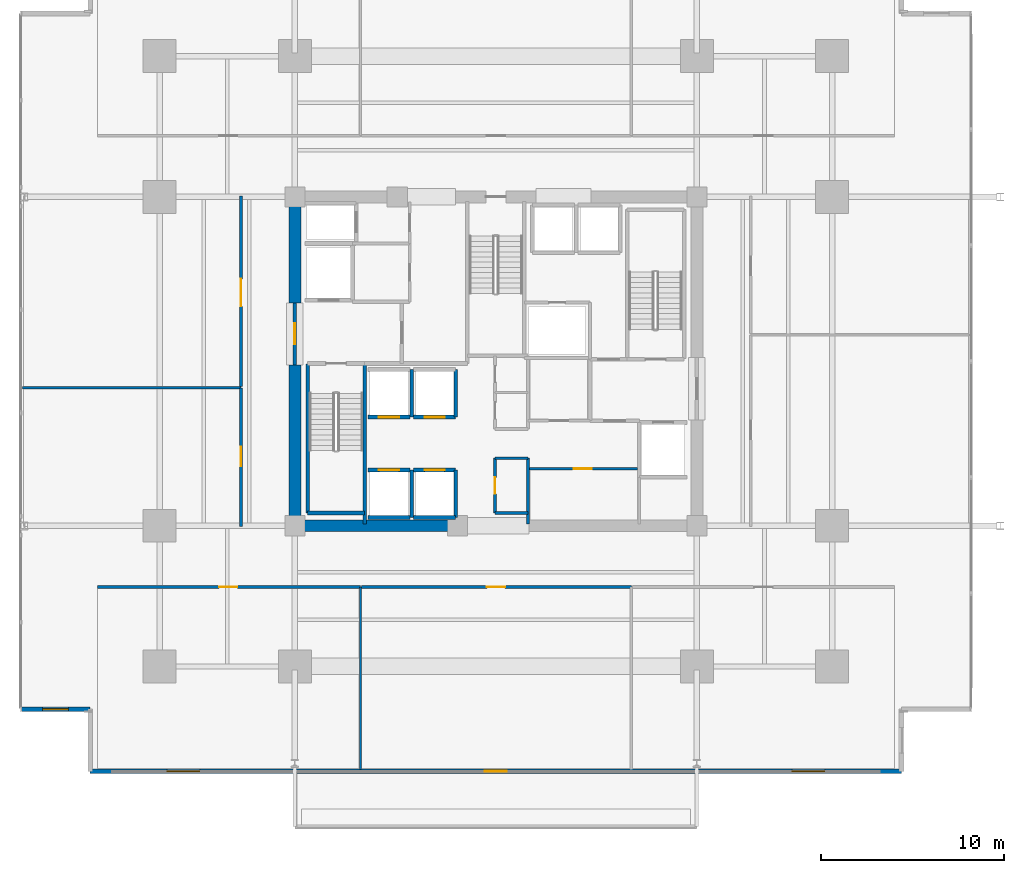
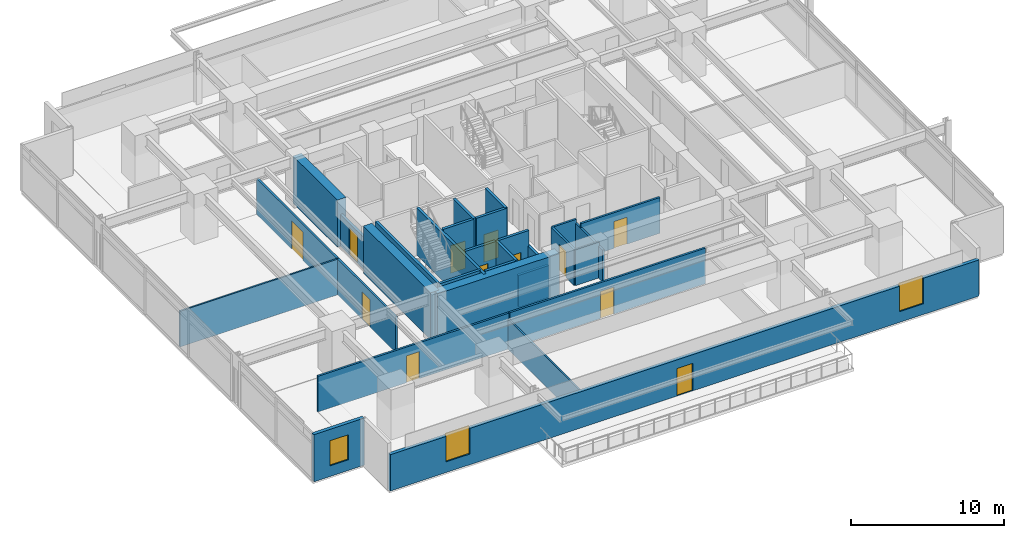
# One storey, part 17 of 25: 30 walls, 12 doors, 3 windows, 15 openings.
"""IFC4 building model written with IfcOpenShell, lengths in metres."""

from ifc_helpers import new_model, si_unit, direction, frame, frame_2d, origin, place, context, subcontext, project, spatial, rectangle, extrude, material, layer, layer_set, type_object, element, fill, save


model = new_model("IFC4")

# Units and contexts
model_context = context("Model", 3, precision=1e-05, world=origin(), true_north=direction((0.0, 1.0)))
body_context = subcontext(model_context, "Body", "Model", "MODEL_VIEW")
ifc_project = project(units=[si_unit("LENGTHUNIT", "METRE"), si_unit("AREAUNIT", "SQUARE_METRE"), si_unit("VOLUMEUNIT", "CUBIC_METRE"), si_unit("PLANEANGLEUNIT", "RADIAN"), si_unit("MASSUNIT", "GRAM", prefix="KILO")], contexts=[model_context])

# Site, building, storey
site_placement = place(None, origin())
site = spatial("IfcSite", under=ifc_project, at=site_placement, CompositionType="ELEMENT")
building_placement = place(site_placement, origin())
building = spatial("IfcBuilding", under=site, at=building_placement, Name="Kovane Verandah Tower", CompositionType="ELEMENT")
storey_placement = place(building_placement, frame((0.0, 0.0, 67.60009765625)))
storey = spatial("IfcBuildingStorey", under=building, at=storey_placement, Name="L15", CompositionType="ELEMENT", Elevation=67.60009765625)

# Walls
ifc_material_1 = material(Name="Fire-Rated Gypsum Stud Partition", Category="gypsum")
ifc_layer_1 = layer(ifc_material_1, 0.14990234375)
ifc_layer_set_1 = layer_set([ifc_layer_1], Name="Fire-Rated Gypsum Stud Partition")
wall_type_1 = type_object("IfcWallType", Name="WL-COR-150", PredefinedType="PARTITIONING", material=ifc_layer_set_1)
for number, where, z_axis, x_axis, name in (
    (1, (39.949951171875, 19.199951171875, 0.0), (0.0, 0.0, 1.0), (1.0, 0.0, 0.0), "L15 Central Core Strip South Wall"),
    (2, (39.949951171875, 22.199951171875, 0.0), (0.0, 0.0, 1.0), (1.0, 0.0, 0.0), "L15 Core Cross-Passage South Wall"),
):
    element("IfcWall", number, at=place(storey_placement, frame(where, z_axis=z_axis, x_axis=x_axis)), inside=storey, type_object=wall_type_1, Name=name, PredefinedType="PARTITIONING", context=body_context, shape_type="SweptSolid", body=[
        extrude(rectangle(XDim=1.81005859375, YDim=0.14990234375, at=frame_2d((0.905029296875, 0.0))), origin(), (0.0, 0.0, 1.0), 2.849853515625),
    ])
wall_1_placement = place(storey_placement, frame((41.760009765625, 18.60009765625, 0.0), z_axis=(0.0, 0.0, 1.0), x_axis=(0.0, 1.0, 0.0)))
element("IfcWall", 3, at=wall_1_placement, inside=storey, type_object=wall_type_1, Name="L15 Central Core Strip Lower East Wall", PredefinedType="PARTITIONING", context=body_context, shape_type="SweptSolid", body=[
    extrude(rectangle(XDim=3.599853515625, YDim=0.14990234375, at=frame_2d((1.7998046875, 0.0))), origin(), (0.0, 0.0, 1.0), 2.539794921875),
])

# Wall, opening, door
wall_2_placement = place(storey_placement, frame((39.949951171875, 19.199951171875, 0.0), z_axis=(0.0, 0.0, 1.0), x_axis=(0.0, 1.0, 0.0)))
wall_2 = element("IfcWall", 4, at=wall_2_placement, inside=storey, type_object=wall_type_1, Name="L15 Male Toilet Partition", PredefinedType="PARTITIONING", context=body_context, shape_type="SweptSolid", body=[
    extrude(rectangle(XDim=3.0, YDim=0.14990234375, at=frame_2d((1.5, 0.0))), origin(), (0.0, 0.0, 1.0), 2.849853515625),
])
opening_1_placement = place(wall_2_placement, frame((1.050048828125, 0.0, 0.0)))
opening_1 = element("IfcOpeningElement", 5, at=opening_1_placement, cuts=wall_2, Name="Opening DR-L15-026", PredefinedType="OPENING", context=body_context, shape_type="SweptSolid", body=[
    extrude(rectangle(XDim=0.89990234375, YDim=2.10009765625, at=frame_2d((0.449951171875, 1.050048828125))), frame((0.0, 0.074951171875, 0.0), z_axis=(0.0, -1.0, 0.0), x_axis=(1.0, 0.0, 0.0)), (0.0, 0.0, 1.0), 0.14990234375),
])
ifc_material_2 = material(Name="Moisture-Resistant Laminate Washroom Door", Category="wood")
door_type_1 = type_object("IfcDoorType", Name="DR-WC-900", OperationType="SINGLE_SWING_LEFT", PredefinedType="DOOR", material=ifc_material_2)
door_1_placement = place(opening_1_placement, origin())
door_1 = element("IfcDoor", 6, at=door_1_placement, inside=storey, type_object=door_type_1, Name="L15 Male Toilet Door", OperationType="SINGLE_SWING_RIGHT", OverallHeight=2.10009765625, OverallWidth=0.89990234375, PredefinedType="DOOR", context=body_context, shape_type="SweptSolid", body=[
    extrude(rectangle(XDim=0.89990234375, YDim=2.10009765625, at=frame_2d((0.449951171875, 1.050048828125))), frame((0.0, 0.02490234375, 0.0), z_axis=(0.0, -1.0, 0.0), x_axis=(1.0, 0.0, 0.0)), (0.0, 0.0, 1.0), 0.050048828125),
])
fill(opening_1, door_1)

wall_3_placement = place(storey_placement, frame((41.760009765625, 21.6201171875, 0.0), z_axis=(0.0, 0.0, 1.0), x_axis=(1.0, 0.0, 0.0)))
wall_3 = element("IfcWall", 7, at=wall_3_placement, inside=storey, type_object=wall_type_1, Name="L15 Records Vault Room Partition", PredefinedType="PARTITIONING", context=body_context, shape_type="SweptSolid", body=[
    extrude(rectangle(XDim=5.97998046875, YDim=0.14990234375, at=frame_2d((2.989990234375, 0.0))), origin(), (0.0, 0.0, 1.0), 2.849853515625),
])
opening_2_placement = place(wall_3_placement, frame((2.489990234375, 0.0, 0.0)))
opening_2 = element("IfcOpeningElement", 8, at=opening_2_placement, cuts=wall_3, Name="Opening DR-L15-014", PredefinedType="OPENING", context=body_context, shape_type="SweptSolid", body=[
    extrude(rectangle(XDim=1.0, YDim=2.14990234375, at=frame_2d((0.5, 1.074951171875))), frame((0.0, 0.074951171875, 0.0), z_axis=(0.0, -1.0, 0.0), x_axis=(1.0, 0.0, 0.0)), (0.0, 0.0, 1.0), 0.14990234375),
])
ifc_material_3 = material(Name="FSC Spotted-Gum Timber Fire-Rated Office Door", Category="wood")
door_type_2 = type_object("IfcDoorType", Name="DR-OFF-1000", OperationType="SINGLE_SWING_LEFT", PredefinedType="DOOR", material=ifc_material_3)
door_2_placement = place(opening_2_placement, origin())
door_2 = element("IfcDoor", 9, at=door_2_placement, inside=storey, type_object=door_type_2, Name="L15 Records Vault Room Door", OperationType="SINGLE_SWING_LEFT", OverallHeight=2.14990234375, OverallWidth=1.0, PredefinedType="DOOR", context=body_context, shape_type="SweptSolid", body=[
    extrude(rectangle(XDim=1.0, YDim=2.14990234375, at=frame_2d((0.5, 1.074951171875))), frame((0.0, 0.02490234375, 0.0), z_axis=(0.0, -1.0, 0.0), x_axis=(1.0, 0.0, 0.0)), (0.0, 0.0, 1.0), 0.050048828125),
])
fill(opening_2, door_2)

wall_4_placement = place(storey_placement, frame((18.198974609375, 15.14990234375, 0.0), z_axis=(0.0, 0.0, 1.0), x_axis=(1.0, 0.0, 0.0)))
wall_4 = element("IfcWall", 10, at=wall_4_placement, inside=storey, type_object=wall_type_1, Name="L15 Collaboration Hub S1 Corridor Partition", PredefinedType="PARTITIONING", context=body_context, shape_type="SweptSolid", body=[
    extrude(rectangle(XDim=14.388671875, YDim=0.14990234375, at=frame_2d((7.1943359375, 0.0))), origin(), (0.0, 0.0, 1.0), 2.849853515625),
])
opening_3_placement = place(wall_4_placement, frame((6.6591796875, 0.0, 0.0)))
opening_3 = element("IfcOpeningElement", 11, at=opening_3_placement, cuts=wall_4, Name="Opening DR-L15-020", PredefinedType="OPENING", context=body_context, shape_type="SweptSolid", body=[
    extrude(rectangle(XDim=1.0, YDim=2.14990234375, at=frame_2d((0.5, 1.074951171875))), frame((0.0, 0.074951171875, 0.0), z_axis=(0.0, -1.0, 0.0), x_axis=(1.0, 0.0, 0.0)), (0.0, 0.0, 1.0), 0.14990234375),
])
door_3_placement = place(opening_3_placement, origin())
door_3 = element("IfcDoor", 12, at=door_3_placement, inside=storey, type_object=door_type_2, Name="L15 Collaboration Hub S1 Entrance Door", OperationType="SINGLE_SWING_LEFT", OverallHeight=2.14990234375, OverallWidth=1.0, PredefinedType="DOOR", context=body_context, shape_type="SweptSolid", body=[
    extrude(rectangle(XDim=1.0, YDim=2.14990234375, at=frame_2d((0.5, 1.074951171875))), frame((0.0, 0.02490234375, 0.0), z_axis=(0.0, -1.0, 0.0), x_axis=(1.0, 0.0, 0.0)), (0.0, 0.0, 1.0), 0.050048828125),
])
fill(opening_3, door_3)

wall_5_placement = place(storey_placement, frame((32.65771484375, 15.14990234375, 0.0), z_axis=(0.0, 0.0, 1.0), x_axis=(1.0, 0.0, 0.0)))
wall_5 = element("IfcWall", 13, at=wall_5_placement, inside=storey, type_object=wall_type_1, Name="L15 Document and Print Room S2 Corridor Partition", PredefinedType="PARTITIONING", context=body_context, shape_type="SweptSolid", body=[
    extrude(rectangle(XDim=14.754638671875, YDim=0.14990234375, at=frame_2d((7.37744140625, 0.0))), origin(), (0.0, 0.0, 1.0), 2.849853515625),
])
opening_4_placement = place(wall_5_placement, frame((6.84228515625, 0.0, 0.0)))
opening_4 = element("IfcOpeningElement", 14, at=opening_4_placement, cuts=wall_5, Name="Opening DR-L15-021", PredefinedType="OPENING", context=body_context, shape_type="SweptSolid", body=[
    extrude(rectangle(XDim=1.0, YDim=2.14990234375, at=frame_2d((0.5, 1.074951171875))), frame((0.0, 0.074951171875, 0.0), z_axis=(0.0, -1.0, 0.0), x_axis=(1.0, 0.0, 0.0)), (0.0, 0.0, 1.0), 0.14990234375),
])
door_4_placement = place(opening_4_placement, origin())
door_4 = element("IfcDoor", 15, at=door_4_placement, inside=storey, type_object=door_type_2, Name="L15 Document and Print Room S2 Entrance Door", OperationType="SINGLE_SWING_RIGHT", OverallHeight=2.14990234375, OverallWidth=1.0, PredefinedType="DOOR", context=body_context, shape_type="SweptSolid", body=[
    extrude(rectangle(XDim=1.0, YDim=2.14990234375, at=frame_2d((0.5, 1.074951171875))), frame((0.0, 0.02490234375, 0.0), z_axis=(0.0, -1.0, 0.0), x_axis=(1.0, 0.0, 0.0)), (0.0, 0.0, 1.0), 0.050048828125),
])
fill(opening_4, door_4)

wall_6_placement = place(storey_placement, frame((26.050048828125, 18.449951171875, 0.0), z_axis=(0.0, 0.0, 1.0), x_axis=(0.0, 1.0, 0.0)))
wall_6 = element("IfcWall", 16, at=wall_6_placement, inside=storey, type_object=wall_type_1, Name="L15 Executive Office W1 Corridor Partition", PredefinedType="PARTITIONING", context=body_context, shape_type="SweptSolid", body=[
    extrude(rectangle(XDim=7.60205078125, YDim=0.14990234375, at=frame_2d((3.801025390625, 0.0))), origin(), (0.0, 0.0, 1.0), 2.849853515625),
])
opening_5_placement = place(wall_6_placement, frame((3.31591796875, 0.0, 0.0)))
opening_5 = element("IfcOpeningElement", 17, at=opening_5_placement, cuts=wall_6, Name="Opening DR-L15-027", PredefinedType="OPENING", context=body_context, shape_type="SweptSolid", body=[
    extrude(rectangle(XDim=1.050048828125, YDim=2.199951171875, at=frame_2d((0.52490234375, 1.10009765625))), frame((0.0, 0.074951171875, 0.0), z_axis=(0.0, -1.0, 0.0), x_axis=(1.0, 0.0, 0.0)), (0.0, 0.0, 1.0), 0.14990234375),
])
ifc_material_4 = material(Name="FSC Blackbutt Timber Fire-Rated Executive Door", Category="wood")
door_type_3 = type_object("IfcDoorType", Name="DR-EXEC-1050", OperationType="SINGLE_SWING_LEFT", PredefinedType="DOOR", material=ifc_material_4)
door_5_placement = place(opening_5_placement, origin())
door_5 = element("IfcDoor", 18, at=door_5_placement, inside=storey, type_object=door_type_3, Name="L15 Executive Office W1 Entrance Door", OperationType="SINGLE_SWING_RIGHT", OverallHeight=2.199951171875, OverallWidth=1.050048828125, PredefinedType="DOOR", context=body_context, shape_type="SweptSolid", body=[
    extrude(rectangle(XDim=1.050048828125, YDim=2.199951171875, at=frame_2d((0.52490234375, 1.10009765625))), frame((0.0, 0.02490234375, 0.0), z_axis=(0.0, -1.0, 0.0), x_axis=(1.0, 0.0, 0.0)), (0.0, 0.0, 1.0), 0.050048828125),
])
fill(opening_5, door_5)

wall_7_placement = place(storey_placement, frame((26.050048828125, 26.1220703125, 0.0), z_axis=(0.0, 0.0, 1.0), x_axis=(0.0, 1.0, 0.0)))
wall_7 = element("IfcWall", 19, at=wall_7_placement, inside=storey, type_object=wall_type_1, Name="L15 Client Boardroom W2 Corridor Partition", PredefinedType="PARTITIONING", context=body_context, shape_type="SweptSolid", body=[
    extrude(rectangle(XDim=10.427978515625, YDim=0.14990234375, at=frame_2d((5.2138671875, 0.0))), origin(), (0.0, 0.0, 1.0), 2.849853515625),
])
opening_6_placement = place(wall_7_placement, frame((4.388916015625, 0.0, 0.0)))
opening_6 = element("IfcOpeningElement", 20, at=opening_6_placement, cuts=wall_7, Name="Opening DR-L15-028", PredefinedType="OPENING", context=body_context, shape_type="SweptSolid", body=[
    extrude(rectangle(XDim=1.5, YDim=2.25, at=frame_2d((0.75, 1.125))), frame((0.0, 0.074951171875, 0.0), z_axis=(0.0, -1.0, 0.0), x_axis=(1.0, 0.0, 0.0)), (0.0, 0.0, 1.0), 0.14990234375),
])
ifc_material_5 = material(Name="Glazed Timber Fire-Rated Double Door", Category="wood")
door_type_4 = type_object("IfcDoorType", Name="DR-CONF-1500", OperationType="DOUBLE_DOOR_SINGLE_SWING", PredefinedType="DOOR", material=ifc_material_5)
door_6_placement = place(opening_6_placement, origin())
door_6 = element("IfcDoor", 21, at=door_6_placement, inside=storey, type_object=door_type_4, Name="L15 Client Boardroom W2 Entrance Door", OperationType="DOUBLE_DOOR_SINGLE_SWING", OverallHeight=2.25, OverallWidth=1.5, PredefinedType="DOOR", context=body_context, shape_type="SweptSolid", body=[
    extrude(rectangle(XDim=1.5, YDim=2.25, at=frame_2d((0.75, 1.125))), frame((0.0, 0.02490234375, 0.0), z_axis=(0.0, -1.0, 0.0), x_axis=(1.0, 0.0, 0.0)), (0.0, 0.0, 1.0), 0.050048828125),
])
fill(opening_6, door_6)

# Walls
ifc_material_6 = material(Name="Concrete C80/95", Category="concrete")
ifc_layer_2 = layer(ifc_material_6, 0.64990234375)
ifc_layer_set_2 = layer_set([ifc_layer_2], Name="Concrete C80/95")
wall_type_2 = type_object("IfcWallType", Name="WL-CORE-650", PredefinedType="SHEAR", material=ifc_layer_set_2)
wall_8_placement = place(storey_placement, frame((29.0, 18.5, 0.0), z_axis=(0.0, 0.0, 1.0), x_axis=(1.0, 0.0, 0.0)))
element("IfcWall", 22, at=wall_8_placement, inside=storey, type_object=wall_type_2, Name="L15 Core Shear Wall CS-1", PredefinedType="SHEAR", context=body_context, shape_type="SweptSolid", body=[
    extrude(rectangle(XDim=9.199951171875, YDim=0.64990234375, at=frame_2d((4.60009765625, 0.0))), origin(), (0.0, 0.0, 1.0), 3.760009765625),
])
wall_9_placement = place(storey_placement, frame((29.0, 18.5, 0.0), z_axis=(0.0, 0.0, 1.0), x_axis=(0.0, 1.0, 0.0)))
element("IfcWall", 23, at=wall_9_placement, inside=storey, type_object=wall_type_2, Name="L15 Core Shear Wall CW-1", PredefinedType="SHEAR", context=body_context, shape_type="SweptSolid", body=[
    extrude(rectangle(XDim=8.800048828125, YDim=0.64990234375, at=frame_2d((4.39990234375, 0.0))), origin(), (0.0, 0.0, 1.0), 3.760009765625),
])
wall_10_placement = place(storey_placement, frame((29.0, 30.699951171875, 0.0), z_axis=(0.0, 0.0, 1.0), x_axis=(0.0, 1.0, 0.0)))
element("IfcWall", 24, at=wall_10_placement, inside=storey, type_object=wall_type_2, Name="L15 Core Shear Wall CW-2", PredefinedType="SHEAR", context=body_context, shape_type="SweptSolid", body=[
    extrude(rectangle(XDim=5.800048828125, YDim=0.64990234375, at=frame_2d((2.89990234375, 0.0))), origin(), (0.0, 0.0, 1.0), 3.760009765625),
])

# Wall, opening, door
ifc_material_7 = material(Name="Concrete C45/55 Fire Wall", Category="concrete")
ifc_layer_3 = layer(ifc_material_7, 0.199951171875)
ifc_layer_set_3 = layer_set([ifc_layer_3], Name="Concrete C45/55 Fire Wall")
wall_type_3 = type_object("IfcWallType", Name="WL-FFL-200", PredefinedType="PARTITIONING", material=ifc_layer_set_3)
wall_11_placement = place(storey_placement, frame((29.0, 27.300048828125, 0.0), z_axis=(0.0, 0.0, 1.0), x_axis=(0.0, 1.0, 0.0)))
wall_11 = element("IfcWall", 25, at=wall_11_placement, inside=storey, type_object=wall_type_3, Name="W-L15-FFLW-OUT", PredefinedType="PARTITIONING", context=body_context, shape_type="SweptSolid", body=[
    extrude(rectangle(XDim=3.39990234375, YDim=0.199951171875, at=frame_2d((1.699951171875, 0.0))), origin(), (0.0, 0.0, 1.0), 2.539794921875),
])
opening_7_placement = place(wall_11_placement, frame((1.125, 0.0, 0.0)))
opening_7 = element("IfcOpeningElement", 26, at=opening_7_placement, cuts=wall_11, Name="Opening DR-L15-007", PredefinedType="OPENING", context=body_context, shape_type="SweptSolid", body=[
    extrude(rectangle(XDim=1.14990234375, YDim=2.199951171875, at=frame_2d((0.574951171875, 1.10009765625))), frame((0.0, 0.10009765625, 0.0), z_axis=(0.0, -1.0, 0.0), x_axis=(1.0, 0.0, 0.0)), (0.0, 0.0, 1.0), 0.199951171875),
])
ifc_material_8 = material(Name="Smoke-Sealed Firefighting Lobby Door", Category="steel")
door_type_5 = type_object("IfcDoorType", Name="DR-FFL-1150", OperationType="SINGLE_SWING_LEFT", PredefinedType="DOOR", material=ifc_material_8)
door_7_placement = place(opening_7_placement, origin())
door_7 = element("IfcDoor", 27, at=door_7_placement, inside=storey, type_object=door_type_5, Name="L15 West Firefighting Lobby Corridor Door", OperationType="SINGLE_SWING_RIGHT", OverallHeight=2.199951171875, OverallWidth=1.14990234375, PredefinedType="DOOR", context=body_context, shape_type="SweptSolid", body=[
    extrude(rectangle(XDim=1.14990234375, YDim=2.199951171875, at=frame_2d((0.574951171875, 1.10009765625))), frame((0.0, 0.02490234375, 0.0), z_axis=(0.0, -1.0, 0.0), x_axis=(1.0, 0.0, 0.0)), (0.0, 0.0, 1.0), 0.050048828125),
])
fill(opening_7, door_7)

# Wall
ifc_material_9 = material(Name="Concrete C45/55 Lift Shaft Wall", Category="concrete")
ifc_layer_4 = layer(ifc_material_9, 0.199951171875)
ifc_layer_set_4 = layer_set([ifc_layer_4], Name="Concrete C45/55 Lift Shaft Wall")
wall_type_4 = type_object("IfcWallType", Name="WL-LIFT-200", PredefinedType="SOLIDWALL", material=ifc_layer_set_4)
wall_12_placement = place(storey_placement, frame((33.0, 18.949951171875, 0.0), z_axis=(0.0, 0.0, 1.0), x_axis=(1.0, 0.0, 0.0)))
element("IfcWall", 28, at=wall_12_placement, inside=storey, type_object=wall_type_4, Name="L15 Lift PL-L1 S Shaft Wall", PredefinedType="SOLIDWALL", context=body_context, shape_type="SweptSolid", body=[
    extrude(rectangle(XDim=2.300048828125, YDim=0.199951171875, at=frame_2d((1.14990234375, 0.0))), origin(), (0.0, 0.0, 1.0), 3.760009765625),
])

# Wall, opening, door
wall_13_placement = place(storey_placement, frame((35.300048828125, 21.550048828125, 0.0), z_axis=(0.0, 0.0, 1.0), x_axis=(-1.0, 0.0, 0.0)))
wall_13 = element("IfcWall", 29, at=wall_13_placement, inside=storey, type_object=wall_type_4, Name="L15 Lift PL-L1 N Shaft Wall", PredefinedType="SOLIDWALL", context=body_context, shape_type="SweptSolid", body=[
    extrude(rectangle(XDim=2.300048828125, YDim=0.199951171875, at=frame_2d((1.14990234375, 0.0))), origin(), (0.0, 0.0, 1.0), 3.760009765625),
])
opening_8_placement = place(wall_13_placement, frame((0.60009765625, 0.0, 0.0)))
opening_8 = element("IfcOpeningElement", 30, at=opening_8_placement, cuts=wall_13, Name="Opening LD-L15-004", PredefinedType="OPENING", context=body_context, shape_type="SweptSolid", body=[
    extrude(rectangle(XDim=1.10009765625, YDim=2.199951171875, at=frame_2d((0.550048828125, 1.10009765625))), frame((0.0, 0.10009765625, 0.0), z_axis=(0.0, -1.0, 0.0), x_axis=(1.0, 0.0, 0.0)), (0.0, 0.0, 1.0), 0.199951171875),
])
ifc_material_10 = material(Name="Brushed Stainless Steel Sliding Lift Landing Door", Category="steel")
door_type_6 = type_object("IfcDoorType", Name="DR-LIFT-1100", OperationType="SLIDING_TO_RIGHT", PredefinedType="DOOR", material=ifc_material_10)
door_8_placement = place(opening_8_placement, origin())
door_8 = element("IfcDoor", 31, at=door_8_placement, inside=storey, type_object=door_type_6, Name="L15 Lift PL-L1 Sliding Landing Door", OperationType="SLIDING_TO_RIGHT", OverallHeight=2.199951171875, OverallWidth=1.10009765625, PredefinedType="DOOR", context=body_context, shape_type="SweptSolid", body=[
    extrude(rectangle(XDim=1.10009765625, YDim=2.199951171875, at=frame_2d((0.550048828125, 1.10009765625))), frame((0.0, 0.02490234375, 0.0), z_axis=(0.0, -1.0, 0.0), x_axis=(1.0, 0.0, 0.0)), (0.0, 0.0, 1.0), 0.050048828125),
])
fill(opening_8, door_8)

# Walls
wall_14_placement = place(storey_placement, frame((35.39990234375, 18.949951171875, 0.0), z_axis=(0.0, 0.0, 1.0), x_axis=(0.0, 1.0, 0.0)))
element("IfcWall", 32, at=wall_14_placement, inside=storey, type_object=wall_type_4, Name="L15 Lift PL-L1 and PL-L2 Shared Shaft Wall", PredefinedType="SOLIDWALL", context=body_context, shape_type="SweptSolid", body=[
    extrude(rectangle(XDim=2.60009765625, YDim=0.199951171875, at=frame_2d((1.300048828125, 0.0))), origin(), (0.0, 0.0, 1.0), 3.760009765625),
])
wall_15_placement = place(storey_placement, frame((35.5, 18.949951171875, 0.0), z_axis=(0.0, 0.0, 1.0), x_axis=(1.0, 0.0, 0.0)))
element("IfcWall", 33, at=wall_15_placement, inside=storey, type_object=wall_type_4, Name="L15 Lift PL-L2 S Shaft Wall", PredefinedType="SOLIDWALL", context=body_context, shape_type="SweptSolid", body=[
    extrude(rectangle(XDim=2.300048828125, YDim=0.199951171875, at=frame_2d((1.14990234375, 0.0))), origin(), (0.0, 0.0, 1.0), 2.539794921875),
])

# Wall, opening, door
wall_16_placement = place(storey_placement, frame((37.800048828125, 21.550048828125, 0.0), z_axis=(0.0, 0.0, 1.0), x_axis=(-1.0, 0.0, 0.0)))
wall_16 = element("IfcWall", 34, at=wall_16_placement, inside=storey, type_object=wall_type_4, Name="L15 Lift PL-L2 N Shaft Wall", PredefinedType="SOLIDWALL", context=body_context, shape_type="SweptSolid", body=[
    extrude(rectangle(XDim=2.300048828125, YDim=0.199951171875, at=frame_2d((1.14990234375, 0.0))), origin(), (0.0, 0.0, 1.0), 3.760009765625),
])
opening_9_placement = place(wall_16_placement, frame((0.60009765625, 0.0, 0.0)))
opening_9 = element("IfcOpeningElement", 35, at=opening_9_placement, cuts=wall_16, Name="Opening LD-L15-005", PredefinedType="OPENING", context=body_context, shape_type="SweptSolid", body=[
    extrude(rectangle(XDim=1.10009765625, YDim=2.199951171875, at=frame_2d((0.550048828125, 1.10009765625))), frame((0.0, 0.10009765625, 0.0), z_axis=(0.0, -1.0, 0.0), x_axis=(1.0, 0.0, 0.0)), (0.0, 0.0, 1.0), 0.199951171875),
])
door_9_placement = place(opening_9_placement, origin())
door_9 = element("IfcDoor", 36, at=door_9_placement, inside=storey, type_object=door_type_6, Name="L15 Lift PL-L2 Sliding Landing Door", OperationType="SLIDING_TO_RIGHT", OverallHeight=2.199951171875, OverallWidth=1.10009765625, PredefinedType="DOOR", context=body_context, shape_type="SweptSolid", body=[
    extrude(rectangle(XDim=1.10009765625, YDim=2.199951171875, at=frame_2d((0.550048828125, 1.10009765625))), frame((0.0, 0.02490234375, 0.0), z_axis=(0.0, -1.0, 0.0), x_axis=(1.0, 0.0, 0.0)), (0.0, 0.0, 1.0), 0.050048828125),
])
fill(opening_9, door_9)

# Wall
wall_17_placement = place(storey_placement, frame((37.800048828125, 18.949951171875, 0.0), z_axis=(0.0, 0.0, 1.0), x_axis=(0.0, 1.0, 0.0)))
element("IfcWall", 37, at=wall_17_placement, inside=storey, type_object=wall_type_4, Name="L15 Lift PL-L2 E Shaft Wall", PredefinedType="SOLIDWALL", context=body_context, shape_type="SweptSolid", body=[
    extrude(rectangle(XDim=2.60009765625, YDim=0.199951171875, at=frame_2d((1.300048828125, 0.0))), origin(), (0.0, 0.0, 1.0), 2.539794921875),
])

# Wall, opening, door
wall_18_placement = place(storey_placement, frame((33.0, 24.449951171875, 0.0), z_axis=(0.0, 0.0, 1.0), x_axis=(1.0, 0.0, 0.0)))
wall_18 = element("IfcWall", 38, at=wall_18_placement, inside=storey, type_object=wall_type_4, Name="L15 Lift PL-L3 S Shaft Wall", PredefinedType="SOLIDWALL", context=body_context, shape_type="SweptSolid", body=[
    extrude(rectangle(XDim=2.300048828125, YDim=0.199951171875, at=frame_2d((1.14990234375, 0.0))), origin(), (0.0, 0.0, 1.0), 3.760009765625),
])
opening_10_placement = place(wall_18_placement, frame((0.60009765625, 0.0, 0.0)))
opening_10 = element("IfcOpeningElement", 39, at=opening_10_placement, cuts=wall_18, Name="Opening LD-L15-006", PredefinedType="OPENING", context=body_context, shape_type="SweptSolid", body=[
    extrude(rectangle(XDim=1.10009765625, YDim=2.199951171875, at=frame_2d((0.550048828125, 1.10009765625))), frame((0.0, 0.10009765625, 0.0), z_axis=(0.0, -1.0, 0.0), x_axis=(1.0, 0.0, 0.0)), (0.0, 0.0, 1.0), 0.199951171875),
])
door_10_placement = place(opening_10_placement, origin())
door_10 = element("IfcDoor", 40, at=door_10_placement, inside=storey, type_object=door_type_6, Name="L15 Lift PL-L3 Sliding Landing Door", OperationType="SLIDING_TO_RIGHT", OverallHeight=2.199951171875, OverallWidth=1.10009765625, PredefinedType="DOOR", context=body_context, shape_type="SweptSolid", body=[
    extrude(rectangle(XDim=1.10009765625, YDim=2.199951171875, at=frame_2d((0.550048828125, 1.10009765625))), frame((0.0, 0.02490234375, 0.0), z_axis=(0.0, -1.0, 0.0), x_axis=(1.0, 0.0, 0.0)), (0.0, 0.0, 1.0), 0.050048828125),
])
fill(opening_10, door_10)

# Wall
wall_19_placement = place(storey_placement, frame((35.39990234375, 24.449951171875, 0.0), z_axis=(0.0, 0.0, 1.0), x_axis=(0.0, 1.0, 0.0)))
element("IfcWall", 41, at=wall_19_placement, inside=storey, type_object=wall_type_4, Name="L15 Lift PL-L3 and PL-L4 Shared Shaft Wall", PredefinedType="SOLIDWALL", context=body_context, shape_type="SweptSolid", body=[
    extrude(rectangle(XDim=2.60009765625, YDim=0.199951171875, at=frame_2d((1.300048828125, 0.0))), origin(), (0.0, 0.0, 1.0), 3.760009765625),
])

# Wall, opening, door
wall_20_placement = place(storey_placement, frame((35.5, 24.449951171875, 0.0), z_axis=(0.0, 0.0, 1.0), x_axis=(1.0, 0.0, 0.0)))
wall_20 = element("IfcWall", 42, at=wall_20_placement, inside=storey, type_object=wall_type_4, Name="L15 Lift PL-L4 S Shaft Wall", PredefinedType="SOLIDWALL", context=body_context, shape_type="SweptSolid", body=[
    extrude(rectangle(XDim=2.300048828125, YDim=0.199951171875, at=frame_2d((1.14990234375, 0.0))), origin(), (0.0, 0.0, 1.0), 3.760009765625),
])
opening_11_placement = place(wall_20_placement, frame((0.60009765625, 0.0, 0.0)))
opening_11 = element("IfcOpeningElement", 43, at=opening_11_placement, cuts=wall_20, Name="Opening LD-L15-007", PredefinedType="OPENING", context=body_context, shape_type="SweptSolid", body=[
    extrude(rectangle(XDim=1.10009765625, YDim=2.199951171875, at=frame_2d((0.550048828125, 1.10009765625))), frame((0.0, 0.10009765625, 0.0), z_axis=(0.0, -1.0, 0.0), x_axis=(1.0, 0.0, 0.0)), (0.0, 0.0, 1.0), 0.199951171875),
])
door_11_placement = place(opening_11_placement, origin())
door_11 = element("IfcDoor", 44, at=door_11_placement, inside=storey, type_object=door_type_6, Name="L15 Lift PL-L4 Sliding Landing Door", OperationType="SLIDING_TO_RIGHT", OverallHeight=2.199951171875, OverallWidth=1.10009765625, PredefinedType="DOOR", context=body_context, shape_type="SweptSolid", body=[
    extrude(rectangle(XDim=1.10009765625, YDim=2.199951171875, at=frame_2d((0.550048828125, 1.10009765625))), frame((0.0, 0.02490234375, 0.0), z_axis=(0.0, -1.0, 0.0), x_axis=(1.0, 0.0, 0.0)), (0.0, 0.0, 1.0), 0.050048828125),
])
fill(opening_11, door_11)

# Walls
wall_21_placement = place(storey_placement, frame((37.800048828125, 24.449951171875, 0.0), z_axis=(0.0, 0.0, 1.0), x_axis=(0.0, 1.0, 0.0)))
element("IfcWall", 45, at=wall_21_placement, inside=storey, type_object=wall_type_4, Name="L15 Lift PL-L4 E Shaft Wall", PredefinedType="SOLIDWALL", context=body_context, shape_type="SweptSolid", body=[
    extrude(rectangle(XDim=2.60009765625, YDim=0.199951171875, at=frame_2d((1.300048828125, 0.0))), origin(), (0.0, 0.0, 1.0), 3.760009765625),
])
ifc_material_11 = material(Name="Acoustic Fire-Rated Gypsum Partition", Category="gypsum")
ifc_layer_5 = layer(ifc_material_11, 0.1201171875)
ifc_layer_set_5 = layer_set([ifc_layer_5], Name="Acoustic Fire-Rated Gypsum Partition")
wall_type_5 = type_object("IfcWallType", Name="WL-PART-120", PredefinedType="PARTITIONING", material=ifc_layer_set_5)
wall_22_placement = place(storey_placement, frame((32.587646484375, 5.1591796875, 0.0), z_axis=(0.0, 0.0, 1.0), x_axis=(0.0, 1.0, 0.0)))
element("IfcWall", 46, at=wall_22_placement, inside=storey, type_object=wall_type_5, Name="L15 Collaboration Hub S1 Dividing Partition", PredefinedType="PARTITIONING", context=body_context, shape_type="SweptSolid", body=[
    extrude(rectangle(XDim=9.99072265625, YDim=0.1201171875, at=frame_2d((4.995361328125, 0.0))), origin(), (0.0, 0.0, 1.0), 2.389892578125),
])
wall_23_placement = place(storey_placement, frame((14.098876953125, 26.052001953125, 0.0), z_axis=(0.0, 0.0, 1.0), x_axis=(1.0, 0.0, 0.0)))
element("IfcWall", 47, at=wall_23_placement, inside=storey, type_object=wall_type_5, Name="L15 Executive Office W1 Dividing Partition", PredefinedType="PARTITIONING", context=body_context, shape_type="SweptSolid", body=[
    extrude(rectangle(XDim=11.951171875, YDim=0.1201171875, at=frame_2d((5.9755859375, 0.0))), origin(), (0.0, 0.0, 1.0), 2.849853515625),
])
ifc_material_12 = material(Name="Concrete C45/55", Category="concrete")
ifc_layer_6 = layer(ifc_material_12, 0.199951171875)
ifc_layer_set_6 = layer_set([ifc_layer_6], Name="Concrete C45/55")
wall_type_6 = type_object("IfcWallType", Name="WL-SHAFT-200", PredefinedType="SOLIDWALL", material=ifc_layer_set_6)
wall_24_placement = place(storey_placement, frame((29.699951171875, 19.199951171875, 0.0), z_axis=(0.0, 0.0, 1.0), x_axis=(0.0, 1.0, 0.0)))
element("IfcWall", 48, at=wall_24_placement, inside=storey, type_object=wall_type_6, Name="W-L15-ST01-W", PredefinedType="SOLIDWALL", context=body_context, shape_type="SweptSolid", body=[
    extrude(rectangle(XDim=8.150146484375, YDim=0.199951171875, at=frame_2d((4.0751953125, 0.0))), origin(), (0.0, 0.0, 1.0), 3.760009765625),
])
wall_25_placement = place(storey_placement, frame((29.699951171875, 19.199951171875, 0.0), z_axis=(0.0, 0.0, 1.0), x_axis=(1.0, 0.0, 0.0)))
element("IfcWall", 49, at=wall_25_placement, inside=storey, type_object=wall_type_6, Name="W-L15-ST01-S", PredefinedType="SOLIDWALL", context=body_context, shape_type="SweptSolid", body=[
    extrude(rectangle(XDim=3.1201171875, YDim=0.199951171875, at=frame_2d((1.56005859375, 0.0))), origin(), (0.0, 0.0, 1.0), 3.760009765625),
])
wall_26_placement = place(storey_placement, frame((32.820068359375, 18.60009765625, 0.0), z_axis=(0.0, 0.0, 1.0), x_axis=(0.0, 1.0, 0.0)))
element("IfcWall", 50, at=wall_26_placement, inside=storey, type_object=wall_type_6, Name="W-L15-ST01-E", PredefinedType="SOLIDWALL", context=body_context, shape_type="SweptSolid", body=[
    extrude(rectangle(XDim=8.77978515625, YDim=0.199951171875, at=frame_2d((4.389892578125, 0.0))), origin(), (0.0, 0.0, 1.0), 3.760009765625),
])

# Wall, openings, door, windows
ifc_material_13 = material(Name="Concrete C45/55 Insulated Spandrel Wall", Category="concrete")
ifc_layer_7 = layer(ifc_material_13, 0.260009765625)
ifc_layer_set_7 = layer_set([ifc_layer_7], Name="Concrete C45/55 Insulated Spandrel Wall")
wall_type_7 = type_object("IfcWallType", Name="WL-SPANDREL-260", PredefinedType="PARAPET", material=ifc_layer_set_7)
wall_27_placement = place(storey_placement, frame((17.798828125, 5.05908203125, 0.0), z_axis=(0.0, 0.0, 1.0), x_axis=(1.0, 0.0, 0.0)))
wall_27 = element("IfcWall", 51, at=wall_27_placement, inside=storey, type_object=wall_type_7, Name="L15 S Verandah Access Facade Wall", PredefinedType="PARAPET", context=body_context, shape_type="SweptSolid", body=[
    extrude(rectangle(XDim=44.40234375, YDim=0.260009765625, at=frame_2d((22.201171875, 0.0))), origin(), (0.0, 0.0, 1.0), 2.88916015625),
])
opening_12_placement = place(wall_27_placement, frame((4.199951171875, 0.0, 0.85009765625)))
opening_12 = element("IfcOpeningElement", 52, at=opening_12_placement, cuts=wall_27, Name="Opening W-03", PredefinedType="OPENING", context=body_context, shape_type="SweptSolid", body=[
    extrude(rectangle(XDim=1.800048828125, YDim=2.199951171875, at=frame_2d((0.89990234375, 1.10009765625))), frame((0.0, 0.1298828125, 0.0), z_axis=(0.0, -1.0, 0.0), x_axis=(1.0, 0.0, 0.0)), (0.0, 0.0, 1.0), 0.260009765625),
])
opening_13_placement = place(wall_27_placement, frame((21.60107421875, 0.0, 0.0)))
opening_13 = element("IfcOpeningElement", 53, at=opening_13_placement, cuts=wall_27, Name="Opening DR-L15-002", PredefinedType="OPENING", context=body_context, shape_type="SweptSolid", body=[
    extrude(rectangle(XDim=1.199951171875, YDim=2.199951171875, at=frame_2d((0.60009765625, 1.10009765625))), frame((0.0, 0.1298828125, 0.0), z_axis=(0.0, -1.0, 0.0), x_axis=(1.0, 0.0, 0.0)), (0.0, 0.0, 1.0), 0.260009765625),
])
opening_14_placement = place(wall_27_placement, frame((38.402099609375, 0.0, 0.85009765625)))
opening_14 = element("IfcOpeningElement", 54, at=opening_14_placement, cuts=wall_27, Name="Opening W-03", PredefinedType="OPENING", context=body_context, shape_type="SweptSolid", body=[
    extrude(rectangle(XDim=1.800048828125, YDim=2.199951171875, at=frame_2d((0.89990234375, 1.10009765625))), frame((0.0, 0.1298828125, 0.0), z_axis=(0.0, -1.0, 0.0), x_axis=(1.0, 0.0, 0.0)), (0.0, 0.0, 1.0), 0.260009765625),
])
ifc_material_14 = material(Name="Cyclone-Rated Glazed Balcony Leaf Door", Category="aluminium")
door_type_7 = type_object("IfcDoorType", Name="DR-BAL-1200x2200", OperationType="SINGLE_SWING_LEFT", PredefinedType="DOOR", material=ifc_material_14)
door_12_placement = place(opening_13_placement, origin())
door_12 = element("IfcDoor", 55, at=door_12_placement, inside=storey, type_object=door_type_7, Name="L15 S Planted Balcony Access Door", OperationType="SINGLE_SWING_LEFT", OverallHeight=2.199951171875, OverallWidth=1.199951171875, PredefinedType="DOOR", context=body_context, shape_type="SweptSolid", body=[
    extrude(rectangle(XDim=1.199951171875, YDim=2.199951171875, at=frame_2d((0.60009765625, 1.10009765625))), frame((0.0, 0.02490234375, 0.0), z_axis=(0.0, -1.0, 0.0), x_axis=(1.0, 0.0, 0.0)), (0.0, 0.0, 1.0), 0.050048828125),
])
fill(opening_13, door_12)
ifc_material_15 = material(Name="Clear Low-E Laminated Double Glazing in Anodised Frame", Category="glass")
window_type_1 = type_object("IfcWindowType", Name="WN-NOTCH-1800x2200", PartitioningType="SINGLE_PANEL", PredefinedType="WINDOW", material=ifc_material_15)
window_1_placement = place(opening_12_placement, origin())
window_1 = element("IfcWindow", 56, at=window_1_placement, inside=storey, type_object=window_type_1, Name="L15 S Verandah View Window 1", OverallHeight=2.199951171875, OverallWidth=1.800048828125, PartitioningType="SINGLE_PANEL", PredefinedType="WINDOW", context=body_context, shape_type="SweptSolid", body=[
    extrude(rectangle(XDim=1.800048828125, YDim=2.199951171875, at=frame_2d((0.89990234375, 1.10009765625))), frame((0.0, 0.030029296875, 0.0), z_axis=(0.0, -1.0, 0.0), x_axis=(1.0, 0.0, 0.0)), (0.0, 0.0, 1.0), 0.06005859375),
])
fill(opening_12, window_1)
window_2_placement = place(opening_14_placement, origin())
window_2 = element("IfcWindow", 57, at=window_2_placement, inside=storey, type_object=window_type_1, Name="L15 S Verandah View Window 2", OverallHeight=2.199951171875, OverallWidth=1.800048828125, PartitioningType="SINGLE_PANEL", PredefinedType="WINDOW", context=body_context, shape_type="SweptSolid", body=[
    extrude(rectangle(XDim=1.800048828125, YDim=2.199951171875, at=frame_2d((0.89990234375, 1.10009765625))), frame((0.0, 0.030029296875, 0.0), z_axis=(0.0, -1.0, 0.0), x_axis=(1.0, 0.0, 0.0)), (0.0, 0.0, 1.0), 0.06005859375),
])
fill(opening_14, window_2)

# Wall, opening, window
wall_28_placement = place(storey_placement, frame((13.998779296875, 8.459228515625, 0.0), z_axis=(0.0, 0.0, 1.0), x_axis=(1.0, 0.0, 0.0)))
wall_28 = element("IfcWall", 58, at=wall_28_placement, inside=storey, type_object=wall_type_7, Name="L15 SW Notch Cheek Wall 1", PredefinedType="PARAPET", context=body_context, shape_type="SweptSolid", body=[
    extrude(rectangle(XDim=3.800048828125, YDim=0.260009765625, at=frame_2d((1.89990234375, 0.0))), origin(), (0.0, 0.0, 1.0), 3.760009765625),
])
opening_15_placement = place(wall_28_placement, frame((1.199951171875, 0.0, 0.85009765625)))
opening_15 = element("IfcOpeningElement", 59, at=opening_15_placement, cuts=wall_28, Name="Opening W-01", PredefinedType="OPENING", context=body_context, shape_type="SweptSolid", body=[
    extrude(rectangle(XDim=1.39990234375, YDim=2.0, at=frame_2d((0.699951171875, 1.0))), frame((0.0, 0.1298828125, 0.0), z_axis=(0.0, -1.0, 0.0), x_axis=(1.0, 0.0, 0.0)), (0.0, 0.0, 1.0), 0.260009765625),
])
window_type_2 = type_object("IfcWindowType", Name="WN-OPER-1400x2000", PartitioningType="SINGLE_PANEL", PredefinedType="WINDOW", material=ifc_material_15)
window_3_placement = place(opening_15_placement, origin())
window_3 = element("IfcWindow", 60, at=window_3_placement, inside=storey, type_object=window_type_2, Name="L15 SW Re-Entrant Corner Operable Window", OverallHeight=2.0, OverallWidth=1.39990234375, PartitioningType="SINGLE_PANEL", PredefinedType="WINDOW", context=body_context, shape_type="SweptSolid", body=[
    extrude(rectangle(XDim=1.39990234375, YDim=2.0, at=frame_2d((0.699951171875, 1.0))), frame((0.0, 0.030029296875, 0.0), z_axis=(0.0, -1.0, 0.0), x_axis=(1.0, 0.0, 0.0)), (0.0, 0.0, 1.0), 0.06005859375),
])
fill(opening_15, window_3)

save(model, "model.ifc")
